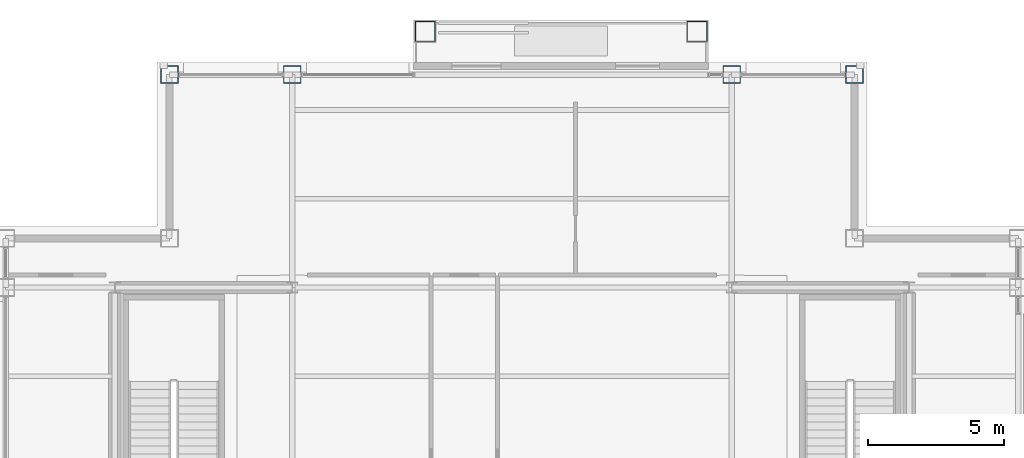
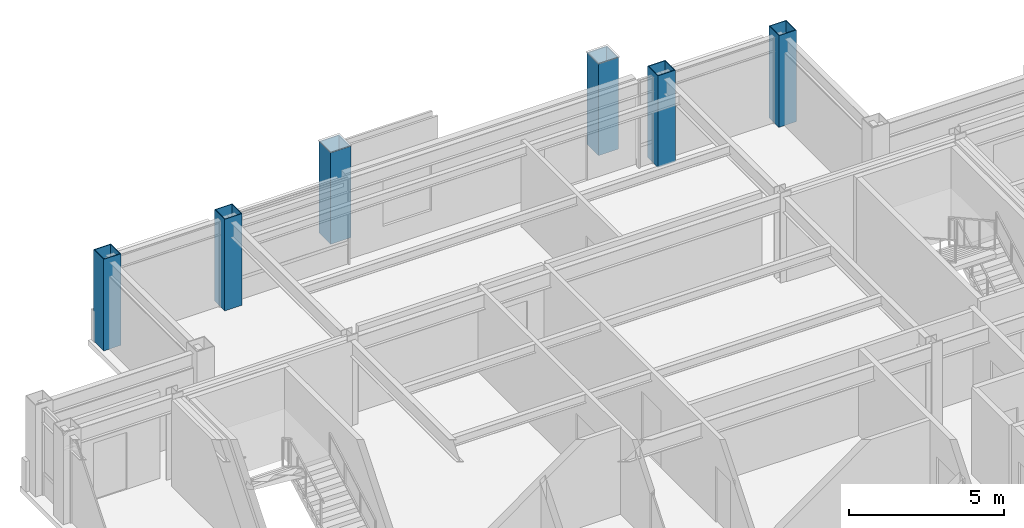
# One storey, part 2 of 24: 6 columns.
"""IFC4 building model written with IfcOpenShell, lengths in metres."""

from ifc_helpers import new_model, si_unit, direction, frame, origin, origin_2d, place, context, subcontext, project, spatial, hollow_rectangle, extrude, material, material_profile, profile_set, type_object, element, save


model = new_model("IFC4")

# Units and contexts
model_context = context("Model", 3, precision=1e-05, world=origin(), true_north=direction((0.0, 1.0)))
body_context = subcontext(model_context, "Body", "Model", "MODEL_VIEW")
ifc_project = project(units=[si_unit("LENGTHUNIT", "METRE"), si_unit("AREAUNIT", "SQUARE_METRE"), si_unit("VOLUMEUNIT", "CUBIC_METRE"), si_unit("PLANEANGLEUNIT", "RADIAN"), si_unit("MASSUNIT", "GRAM", prefix="KILO")], contexts=[model_context])

# Site, building, storey
site_placement = place(None, origin())
site = spatial("IfcSite", under=ifc_project, at=site_placement, CompositionType="ELEMENT")
building_placement = place(site_placement, origin())
building = spatial("IfcBuilding", under=site, at=building_placement, Name="Brelmoor Portico Tower", CompositionType="ELEMENT")
storey_placement = place(building_placement, frame((0.0, 0.0, 232.800048828125)))
storey = spatial("IfcBuildingStorey", under=building, at=storey_placement, Name="L61", CompositionType="ELEMENT", Elevation=232.800048828125)

# Columns
ifc_material = material(Name="Steel Q355B", Category="steel")
ifc_material_profile_1 = material_profile(ifc_material, hollow_rectangle(XDim=0.64990234375, YDim=0.64990234375, WallThickness=0.028076171875, at=origin_2d()), Name="BOX 650x650x28")
ifc_profile_set_1 = profile_set([ifc_material_profile_1], Name="Steel Q355B")
column_type_1 = type_object("IfcColumnType", Name="COL-MEGA-650", PredefinedType="COLUMN", material=ifc_profile_set_1)
for number, where, z_axis, x_axis, name in (
    (1, (-12.550048828125, 17.550048828125, 0.0), (0.0, 0.0, 1.0), (1.0, 0.0, 0.0), "L61 Perimeter Mega-Column PN01"),
    (2, (-8.050048828125, 17.550048828125, 0.0), (0.0, 0.0, 1.0), (1.0, 0.0, 0.0), "L61 Perimeter Mega-Column PN02"),
    (3, (8.050048828125, 17.550048828125, 0.0), (0.0, 0.0, 1.0), (1.0, 0.0, 0.0), "L61 Perimeter Mega-Column PN03"),
    (4, (12.550048828125, 17.550048828125, 0.0), (0.0, 0.0, 1.0), (1.0, 0.0, 0.0), "L61 Perimeter Mega-Column PN04"),
):
    element("IfcColumn", number, at=place(storey_placement, frame(where, z_axis=z_axis, x_axis=x_axis)), inside=storey, type_object=column_type_1, Name=name, PredefinedType="COLUMN", context=body_context, shape_type="SweptSolid", body=[
        extrude(hollow_rectangle(XDim=0.64990234375, YDim=0.64990234375, WallThickness=0.028076171875, at=origin_2d()), origin(), (0.0, 0.0, 1.0), 3.599853515625),
    ])
ifc_material_profile_2 = material_profile(ifc_material, hollow_rectangle(XDim=0.75, YDim=0.75, WallThickness=0.031982421875, at=origin_2d()), Name="BOX 750x750x32")
ifc_profile_set_2 = profile_set([ifc_material_profile_2], Name="Steel Q355B")
column_type_2 = type_object("IfcColumnType", Name="COL-MEGA-750", PredefinedType="COLUMN", material=ifc_profile_set_2)
for number, where, z_axis, x_axis, name in (
    (5, (-3.179931640625, 19.1298828125, 0.0), (0.0, 0.0, 1.0), (1.0, 0.0, 0.0), "L61 Proud Picture-Frame Pier PFJ-N1"),
    (6, (6.780029296875, 19.1298828125, 0.0), (0.0, 0.0, 1.0), (1.0, 0.0, 0.0), "L61 Proud Picture-Frame Pier PFJ-N2"),
):
    element("IfcColumn", number, at=place(storey_placement, frame(where, z_axis=z_axis, x_axis=x_axis)), inside=storey, type_object=column_type_2, Name=name, PredefinedType="COLUMN", context=body_context, shape_type="SweptSolid", body=[
        extrude(hollow_rectangle(XDim=0.75, YDim=0.75, WallThickness=0.031982421875, at=origin_2d()), origin(), (0.0, 0.0, 1.0), 3.599853515625),
    ])

save(model, "model.ifc")
